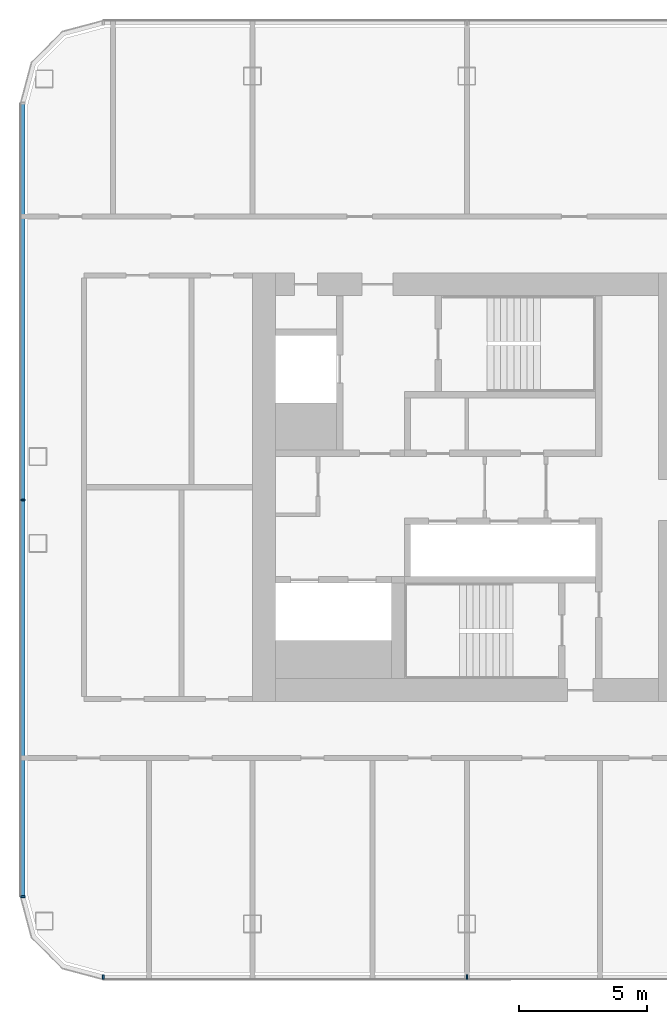
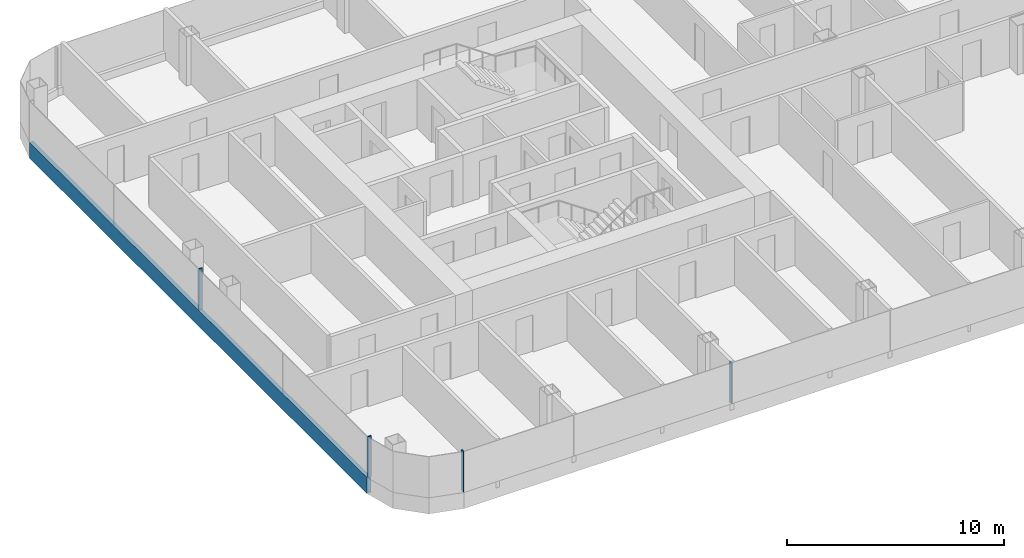
# One storey, part 2 of 26: 5 members, 2 elements without a shape of their own.
"""IFC4 building model written with IfcOpenShell, lengths in metres."""

import ifcopenshell
import ifcopenshell.guid

model = None  # the IFC model being written
_history = None  # IfcOwnerHistory: only IFC2X3 demands one
_inside = {}  # id of a spatial element -> (the spatial element, [elements in it])
_under = {}  # id of a project, library or spatial element -> (it, [spatial elements below it])
_declared = {}  # id of a project -> (the project, [libraries it declares])
_typed = {}  # id of a type object -> (the type object, [elements of that type])
_made_of = {}  # id of a material, layer set ... -> (it, [elements and type objects made of it])


def new_model(schema):
    """Start an empty IFC model of exactly this schema.

    Asked for "IFC4X3", IfcOpenShell would pick the latest addendum, in which some entities
    have other attributes; the version numbers below select the first issue.
    IFC2X3 requires an IfcOwnerHistory on every rooted entity: one is made here for all.
    """
    global model, _history
    if schema == "IFC4X3":
        model = ifcopenshell.file(schema_version=(4, 3, 0, 0))
    else:
        model = ifcopenshell.file(schema=schema)
    _inside.clear()
    _under.clear()
    _declared.clear()
    _typed.clear()
    _made_of.clear()
    _history = None
    if model.schema == "IFC2X3":
        org = make("IfcOrganization", Name="unknown")
        user = make(
            "IfcPersonAndOrganization",
            ThePerson=make("IfcPerson", FamilyName="unknown"),
            TheOrganization=org,
        )
        app = make(
            "IfcApplication",
            ApplicationDeveloper=org,
            Version="unknown",
            ApplicationFullName="unknown",
            ApplicationIdentifier="unknown",
        )
        _history = make(
            "IfcOwnerHistory",
            OwningUser=user,
            OwningApplication=app,
            ChangeAction="ADDED",
            CreationDate=0,
        )
    return model


def make(cls, **values):
    """One entity of the class cls with the attributes given. An attribute that is None is left unset."""
    return model.create_entity(
        cls, **{name: value for name, value in values.items() if value is not None}
    )


def rooted(cls, **values):
    """An entity with a GlobalId (a new one), such as an element, a storey or a relation."""
    return make(cls, GlobalId=ifcopenshell.guid.new(), OwnerHistory=_history, **values)


def si_unit(unit_type, name, prefix=None):
    """IfcSIUnit, for example si_unit("LENGTHUNIT", "METRE", prefix="MILLI")."""
    return make("IfcSIUnit", UnitType=unit_type, Prefix=prefix, Name=name)


def assignment(units):
    """IfcUnitAssignment: the units of a project."""
    return None if units is None else make("IfcUnitAssignment", Units=units)


def point(xyz):
    """IfcCartesianPoint."""
    return None if xyz is None else make("IfcCartesianPoint", Coordinates=xyz)


def direction(xyz):
    """IfcDirection."""
    return None if xyz is None else make("IfcDirection", DirectionRatios=xyz)


def frame(location, z_axis=None, x_axis=None):
    """IfcAxis2Placement3D, a coordinate frame: its origin and axes. An axis left out is left unset."""
    return make(
        "IfcAxis2Placement3D",
        Location=point(location),
        Axis=direction(z_axis),
        RefDirection=direction(x_axis),
    )


def frame_2d(location, x_axis=None):
    """IfcAxis2Placement2D, a coordinate frame in the plane: its origin and x axis."""
    return make(
        "IfcAxis2Placement2D", Location=point(location), RefDirection=direction(x_axis)
    )


def origin():
    """The frame at (0, 0, 0) with its axes left unset."""
    return frame((0.0, 0.0, 0.0))


def origin_2d():
    """The frame at (0, 0) in the plane with its x axis left unset."""
    return frame_2d((0.0, 0.0))


def place(relative_to, where):
    """IfcLocalPlacement: puts the frame where relative to a parent placement (None: the world)."""
    return make(
        "IfcLocalPlacement", PlacementRelTo=relative_to, RelativePlacement=where
    )


def context(
    kind, dimensions, precision=None, world=None, true_north=None, identifier=None
):
    """IfcGeometricRepresentationContext, for example the 3D "Model" context."""
    return make(
        "IfcGeometricRepresentationContext",
        ContextIdentifier=identifier,
        ContextType=kind,
        CoordinateSpaceDimension=dimensions,
        Precision=precision,
        WorldCoordinateSystem=world,
        TrueNorth=true_north,
    )


def subcontext(parent, identifier, kind, view, scale=None):
    """IfcGeometricRepresentationSubContext, for example "Body" below "Model"."""
    return make(
        "IfcGeometricRepresentationSubContext",
        ContextIdentifier=identifier,
        ContextType=kind,
        ParentContext=parent,
        TargetScale=scale,
        TargetView=view,
    )


def project(units=None, contexts=None):
    """IfcProject with its units and contexts."""
    return rooted(
        "IfcProject",
        Name="project",
        RepresentationContexts=contexts,
        UnitsInContext=assignment(units),
    )


def spatial(cls, under=None, at=None, **own):
    """A site, building, storey or space (cls), placed at a placement, below another one or the project."""
    s = rooted(cls, ObjectPlacement=at, **own)
    if under is not None:
        _under.setdefault(under.id(), (under, []))[1].append(s)
    return s


def profile(cls, at=None, kind="AREA", **sizes):
    """A parametric profile (cls). Its sizes go by their IFC names, for example OverallWidth=200.0."""
    return make(cls, ProfileType=kind, Position=at, **sizes)


def rectangle(**sizes):
    """IfcRectangleProfileDef."""
    return profile("IfcRectangleProfileDef", **sizes)


def extrude(swept, where, along, depth):
    """IfcExtrudedAreaSolid: the profile swept, set in the frame where, extruded along a direction by depth."""
    return make(
        "IfcExtrudedAreaSolid",
        SweptArea=swept,
        Position=where,
        ExtrudedDirection=direction(along),
        Depth=depth,
    )


def shape(context_of_items, identifier, shape_type, items):
    """IfcShapeRepresentation: the items that make up one representation, for example the "Body"."""
    return make(
        "IfcShapeRepresentation",
        ContextOfItems=context_of_items,
        RepresentationIdentifier=identifier,
        RepresentationType=shape_type,
        Items=items,
    )


def material(Name=None, Category=None):
    """IfcMaterial."""
    return make("IfcMaterial", Name=Name, Category=Category)


def layer(
    of_material, thickness, ventilated=None, Name=None, Category=None, Priority=None
):
    """IfcMaterialLayer: one layer of a wall or slab, of a material (None: an air gap)."""
    return make(
        "IfcMaterialLayer",
        Material=of_material,
        LayerThickness=thickness,
        IsVentilated=ventilated,
        Name=Name,
        Category=Category,
        Priority=Priority,
    )


def layer_set(layers, Name=None):
    """IfcMaterialLayerSet."""
    return make("IfcMaterialLayerSet", MaterialLayers=layers, LayerSetName=Name)


def material_profile(
    of_material, cross_section, Name=None, Category=None, Priority=None
):
    """IfcMaterialProfile: a cross section and its material."""
    return make(
        "IfcMaterialProfile",
        Name=Name,
        Material=of_material,
        Profile=cross_section,
        Priority=Priority,
        Category=Category,
    )


def profile_set(profiles, Name=None, composite=None):
    """IfcMaterialProfileSet."""
    return make(
        "IfcMaterialProfileSet",
        Name=Name,
        MaterialProfiles=profiles,
        CompositeProfile=composite,
    )


def made_of(thing, what):
    """Note that an element or type object is made of a material, layer set ...; save() writes the relation."""
    if what is not None:
        _made_of.setdefault(what.id(), (what, []))[1].append(thing)
    return thing


def type_object(cls, material=None, **own):
    """A type object (cls), such as IfcWallType, which elements share."""
    return made_of(rooted(cls, **own), material)


def element(
    cls,
    number,
    at=None,
    inside=None,
    cuts=None,
    type_object=None,
    material=None,
    context=None,
    identifier="Body",
    shape_type=None,
    held_by="IfcProductDefinitionShape",
    body=None,
    shapes=None,
    **own,
):
    """One element of the class cls, such as IfcWall. Its Tag is "e" and its number.

    at: its placement. inside: the storey or other place that contains it. cuts: it is an
    opening in that element (IfcRelVoidsElement). A single representation is given by context,
    identifier, shape_type and body (its items); several are given by shapes. held_by: the class
    of the entity that holds the representations. save() writes the other relations.
    """
    e = rooted(cls, Tag="e%d" % number, ObjectPlacement=at, **own)
    if body is not None:
        shapes = [shape(context, identifier, shape_type, body)]
    if shapes is not None:
        e.Representation = make(held_by, Representations=shapes)
    if inside is not None:
        _inside.setdefault(inside.id(), (inside, []))[1].append(e)
    if cuts is not None:
        rooted(
            "IfcRelVoidsElement", RelatingBuildingElement=cuts, RelatedOpeningElement=e
        )
    if type_object is not None:
        _typed.setdefault(type_object.id(), (type_object, []))[1].append(e)
    return made_of(e, material)


def aggregate(whole, parts):
    """IfcRelAggregates: a whole, such as a stair, and the parts it consists of."""
    return rooted("IfcRelAggregates", RelatingObject=whole, RelatedObjects=parts)


def save(model, path):
    """Write the relations noted so far, then the file.

    IfcRelAggregates (storeys below a building ...), IfcRelContainedInSpatialStructure (elements
    in a storey), IfcRelDefinesByType, IfcRelAssociatesMaterial and IfcRelDeclares: one each for
    every whole, place, type object, material and project.
    """
    for whole, parts in _under.values():
        aggregate(whole, parts)
    for where, things in _inside.values():
        rooted(
            "IfcRelContainedInSpatialStructure",
            RelatedElements=things,
            RelatingStructure=where,
        )
    for kind, things in _typed.values():
        rooted("IfcRelDefinesByType", RelatedObjects=things, RelatingType=kind)
    for what, things in _made_of.values():
        rooted("IfcRelAssociatesMaterial", RelatedObjects=things, RelatingMaterial=what)
    for by, libraries in _declared.values():
        rooted("IfcRelDeclares", RelatingContext=by, RelatedDefinitions=libraries)
    model.write(path)


model = new_model("IFC4")

# Units and contexts
model_context = context("Model", 3, precision=1e-05, world=origin(), true_north=direction((0.0, 1.0)))
body_context = subcontext(model_context, "Body", "Model", "MODEL_VIEW")
ifc_project = project(units=[si_unit("LENGTHUNIT", "METRE"), si_unit("AREAUNIT", "SQUARE_METRE"), si_unit("VOLUMEUNIT", "CUBIC_METRE"), si_unit("PLANEANGLEUNIT", "RADIAN"), si_unit("MASSUNIT", "GRAM", prefix="KILO")], contexts=[model_context])

# Site, building, storey
site_placement = place(None, origin())
site = spatial("IfcSite", under=ifc_project, at=site_placement, CompositionType="ELEMENT")
building_placement = place(site_placement, origin())
building = spatial("IfcBuilding", under=site, at=building_placement, Name="Hakoniwa Tower and Hamabe Station Hall", CompositionType="ELEMENT")
storey_placement = place(building_placement, frame((0.0, 0.0, 143.800048828125)))
storey = spatial("IfcBuildingStorey", under=building, at=storey_placement, Name="L40", CompositionType="ELEMENT", Elevation=143.800048828125)

# Curtain wall, members
ifc_material_1 = material(Name="Dark low-e laminated glass", Category="glass")
ifc_layer = layer(ifc_material_1, 0.199951171875)
ifc_layer_set = layer_set([ifc_layer], Name="CW-1 UNITISED GUEST")
curtain_wall_type = type_object("IfcCurtainWallType", Name="CW-1 UNITISED GUEST", PredefinedType="NOTDEFINED", material=ifc_layer_set)
curtain_wall_1_placement = place(storey_placement, origin())
curtain_wall_1 = element("IfcCurtainWall", 1, at=curtain_wall_1_placement, inside=storey, type_object=curtain_wall_type, Name="CW-1 curtain wall", PredefinedType="NOTDEFINED")
ifc_material_2 = material(Name="Aluminium 6063-T5 black anodised", Category="aluminium")
ifc_material_profile_1 = material_profile(ifc_material_2, rectangle(XDim=0.199951171875, YDim=0.89990234375, at=origin_2d()), Name="CW SLAB-EDGE BAND 900X200")
ifc_profile_set_1 = profile_set([ifc_material_profile_1], Name="Aluminium 6063-T5 black anodised")
member_type_1 = type_object("IfcMemberType", Name="CW SLAB-EDGE BAND 900X200", PredefinedType="USERDEFINED", material=ifc_profile_set_1)
member_1_placement = place(storey_placement, frame((-42.60009765625, 15.03955078125, -0.10009765625), z_axis=(0.0, -1.0, 0.0), x_axis=(1.0, 0.0, 0.0)))
member_1 = element("IfcMember", 2, at=member_1_placement, type_object=member_type_1, Name="CW-1 transom", ObjectType="TRANSOM", PredefinedType="USERDEFINED", context=body_context, shape_type="SweptSolid", body=[
    extrude(rectangle(XDim=0.199951171875, YDim=0.89990234375, at=origin_2d()), origin(), (0.0, 0.0, 1.0), 31.0791015625),
])
ifc_material_3 = material(Name="Aluminium 6063-T5 black anodised", Category="aluminium")
ifc_material_profile_2 = material_profile(ifc_material_3, rectangle(XDim=0.06005859375, YDim=0.179931640625, at=origin_2d()), Name="CW-1 MULLION 60X180")
ifc_profile_set_2 = profile_set([ifc_material_profile_2], Name="Aluminium 6063-T5 black anodised")
member_type_2 = type_object("IfcMemberType", Name="CW-1 MULLION 60X180", PredefinedType="MULLION", material=ifc_profile_set_2)
member_2_placement = place(storey_placement, frame((-42.58203125, -0.5, 0.349853515625), z_axis=(0.0, 0.0, 1.0), x_axis=(0.0, -1.0, 0.0)))
member_2 = element("IfcMember", 3, at=member_2_placement, type_object=member_type_2, Name="CW-1 mullion", PredefinedType="MULLION", context=body_context, shape_type="SweptSolid", body=[
    extrude(rectangle(XDim=0.06005859375, YDim=0.179931640625, at=origin_2d()), origin(), (0.0, 0.0, 1.0), 2.300048828125),
])
member_3_placement = place(storey_placement, frame((-42.58203125, -16.03955078125, 0.349853515625), z_axis=(0.0, 0.0, 1.0), x_axis=(0.0, -1.0, 0.0)))
member_3 = element("IfcMember", 4, at=member_3_placement, type_object=member_type_2, Name="CW-1 mullion", PredefinedType="MULLION", context=body_context, shape_type="SweptSolid", body=[
    extrude(rectangle(XDim=0.06005859375, YDim=0.179931640625, at=origin_2d()), origin(), (0.0, 0.0, 1.0), 2.300048828125),
])
aggregate(curtain_wall_1, [member_2, member_3, member_1])

curtain_wall_2_placement = place(storey_placement, origin())
curtain_wall_2 = element("IfcCurtainWall", 5, at=curtain_wall_2_placement, inside=storey, type_object=curtain_wall_type, Name="CW-1 curtain wall", PredefinedType="NOTDEFINED")
member_4_placement = place(storey_placement, frame((-39.439453125, -19.181884765625, 0.349853515625), z_axis=(0.0, 0.0, 1.0), x_axis=(1.0, 0.0, 0.0)))
member_4 = element("IfcMember", 6, at=member_4_placement, type_object=member_type_2, Name="CW-1 mullion", PredefinedType="MULLION", context=body_context, shape_type="SweptSolid", body=[
    extrude(rectangle(XDim=0.06005859375, YDim=0.179931640625, at=origin_2d()), origin(), (0.0, 0.0, 1.0), 2.300048828125),
])
member_5_placement = place(storey_placement, frame((-25.199951171875, -19.181884765625, 0.349853515625), z_axis=(0.0, 0.0, 1.0), x_axis=(1.0, 0.0, 0.0)))
member_5 = element("IfcMember", 7, at=member_5_placement, type_object=member_type_2, Name="CW-1 mullion", PredefinedType="MULLION", context=body_context, shape_type="SweptSolid", body=[
    extrude(rectangle(XDim=0.06005859375, YDim=0.179931640625, at=origin_2d()), origin(), (0.0, 0.0, 1.0), 2.300048828125),
])
aggregate(curtain_wall_2, [member_4, member_5])

save(model, "model.ifc")
